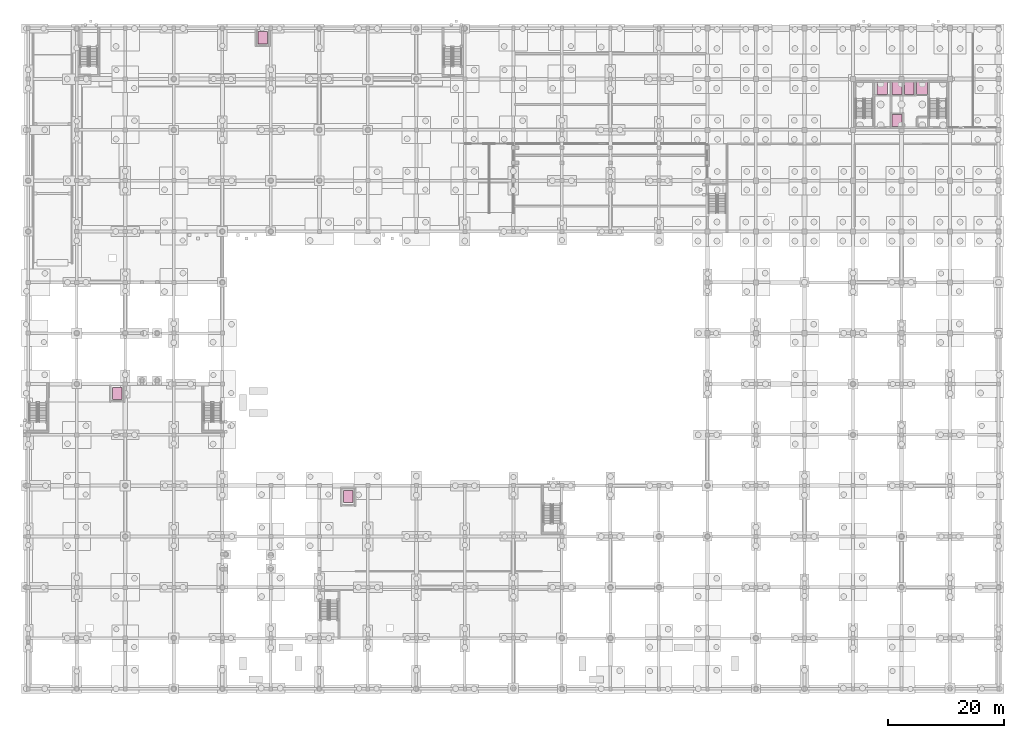
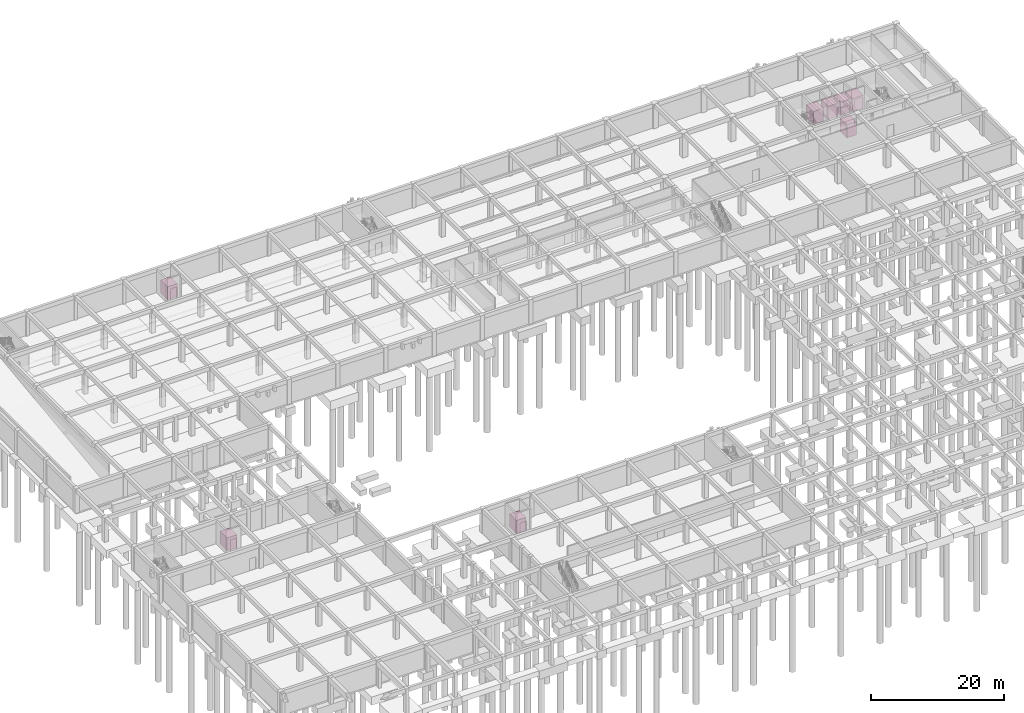
# One storey, part 41 of 41: 8 transport elements.
"""IFC4 building model written with IfcOpenShell, lengths in metres."""

import ifcopenshell
import ifcopenshell.guid

model = None  # the IFC model being written
_history = None  # IfcOwnerHistory: only IFC2X3 demands one
_inside = {}  # id of a spatial element -> (the spatial element, [elements in it])
_under = {}  # id of a project, library or spatial element -> (it, [spatial elements below it])
_declared = {}  # id of a project -> (the project, [libraries it declares])
_typed = {}  # id of a type object -> (the type object, [elements of that type])
_made_of = {}  # id of a material, layer set ... -> (it, [elements and type objects made of it])


def new_model(schema):
    """Start an empty IFC model of exactly this schema.

    Asked for "IFC4X3", IfcOpenShell would pick the latest addendum, in which some entities
    have other attributes; the version numbers below select the first issue.
    IFC2X3 requires an IfcOwnerHistory on every rooted entity: one is made here for all.
    """
    global model, _history
    if schema == "IFC4X3":
        model = ifcopenshell.file(schema_version=(4, 3, 0, 0))
    else:
        model = ifcopenshell.file(schema=schema)
    _inside.clear()
    _under.clear()
    _declared.clear()
    _typed.clear()
    _made_of.clear()
    _history = None
    if model.schema == "IFC2X3":
        org = make("IfcOrganization", Name="unknown")
        user = make(
            "IfcPersonAndOrganization",
            ThePerson=make("IfcPerson", FamilyName="unknown"),
            TheOrganization=org,
        )
        app = make(
            "IfcApplication",
            ApplicationDeveloper=org,
            Version="unknown",
            ApplicationFullName="unknown",
            ApplicationIdentifier="unknown",
        )
        _history = make(
            "IfcOwnerHistory",
            OwningUser=user,
            OwningApplication=app,
            ChangeAction="ADDED",
            CreationDate=0,
        )
    return model


def make(cls, **values):
    """One entity of the class cls with the attributes given. An attribute that is None is left unset."""
    return model.create_entity(
        cls, **{name: value for name, value in values.items() if value is not None}
    )


def rooted(cls, **values):
    """An entity with a GlobalId (a new one), such as an element, a storey or a relation."""
    return make(cls, GlobalId=ifcopenshell.guid.new(), OwnerHistory=_history, **values)


def si_unit(unit_type, name, prefix=None):
    """IfcSIUnit, for example si_unit("LENGTHUNIT", "METRE", prefix="MILLI")."""
    return make("IfcSIUnit", UnitType=unit_type, Prefix=prefix, Name=name)


def assignment(units):
    """IfcUnitAssignment: the units of a project."""
    return None if units is None else make("IfcUnitAssignment", Units=units)


def point(xyz):
    """IfcCartesianPoint."""
    return None if xyz is None else make("IfcCartesianPoint", Coordinates=xyz)


def direction(xyz):
    """IfcDirection."""
    return None if xyz is None else make("IfcDirection", DirectionRatios=xyz)


def frame(location, z_axis=None, x_axis=None):
    """IfcAxis2Placement3D, a coordinate frame: its origin and axes. An axis left out is left unset."""
    return make(
        "IfcAxis2Placement3D",
        Location=point(location),
        Axis=direction(z_axis),
        RefDirection=direction(x_axis),
    )


def frame_2d(location, x_axis=None):
    """IfcAxis2Placement2D, a coordinate frame in the plane: its origin and x axis."""
    return make(
        "IfcAxis2Placement2D", Location=point(location), RefDirection=direction(x_axis)
    )


def origin():
    """The frame at (0, 0, 0) with its axes left unset."""
    return frame((0.0, 0.0, 0.0))


def origin_2d():
    """The frame at (0, 0) in the plane with its x axis left unset."""
    return frame_2d((0.0, 0.0))


def place(relative_to, where):
    """IfcLocalPlacement: puts the frame where relative to a parent placement (None: the world)."""
    return make(
        "IfcLocalPlacement", PlacementRelTo=relative_to, RelativePlacement=where
    )


def context(
    kind, dimensions, precision=None, world=None, true_north=None, identifier=None
):
    """IfcGeometricRepresentationContext, for example the 3D "Model" context."""
    return make(
        "IfcGeometricRepresentationContext",
        ContextIdentifier=identifier,
        ContextType=kind,
        CoordinateSpaceDimension=dimensions,
        Precision=precision,
        WorldCoordinateSystem=world,
        TrueNorth=true_north,
    )


def subcontext(parent, identifier, kind, view, scale=None):
    """IfcGeometricRepresentationSubContext, for example "Body" below "Model"."""
    return make(
        "IfcGeometricRepresentationSubContext",
        ContextIdentifier=identifier,
        ContextType=kind,
        ParentContext=parent,
        TargetScale=scale,
        TargetView=view,
    )


def project(units=None, contexts=None):
    """IfcProject with its units and contexts."""
    return rooted(
        "IfcProject",
        Name="project",
        RepresentationContexts=contexts,
        UnitsInContext=assignment(units),
    )


def spatial(cls, under=None, at=None, **own):
    """A site, building, storey or space (cls), placed at a placement, below another one or the project."""
    s = rooted(cls, ObjectPlacement=at, **own)
    if under is not None:
        _under.setdefault(under.id(), (under, []))[1].append(s)
    return s


def profile(cls, at=None, kind="AREA", **sizes):
    """A parametric profile (cls). Its sizes go by their IFC names, for example OverallWidth=200.0."""
    return make(cls, ProfileType=kind, Position=at, **sizes)


def rectangle(**sizes):
    """IfcRectangleProfileDef."""
    return profile("IfcRectangleProfileDef", **sizes)


def extrude(swept, where, along, depth):
    """IfcExtrudedAreaSolid: the profile swept, set in the frame where, extruded along a direction by depth."""
    return make(
        "IfcExtrudedAreaSolid",
        SweptArea=swept,
        Position=where,
        ExtrudedDirection=direction(along),
        Depth=depth,
    )


def shape(context_of_items, identifier, shape_type, items):
    """IfcShapeRepresentation: the items that make up one representation, for example the "Body"."""
    return make(
        "IfcShapeRepresentation",
        ContextOfItems=context_of_items,
        RepresentationIdentifier=identifier,
        RepresentationType=shape_type,
        Items=items,
    )


def material(Name=None, Category=None):
    """IfcMaterial."""
    return make("IfcMaterial", Name=Name, Category=Category)


def made_of(thing, what):
    """Note that an element or type object is made of a material, layer set ...; save() writes the relation."""
    if what is not None:
        _made_of.setdefault(what.id(), (what, []))[1].append(thing)
    return thing


def type_object(cls, material=None, **own):
    """A type object (cls), such as IfcWallType, which elements share."""
    return made_of(rooted(cls, **own), material)


def element(
    cls,
    number,
    at=None,
    inside=None,
    cuts=None,
    type_object=None,
    material=None,
    context=None,
    identifier="Body",
    shape_type=None,
    held_by="IfcProductDefinitionShape",
    body=None,
    shapes=None,
    **own,
):
    """One element of the class cls, such as IfcWall. Its Tag is "e" and its number.

    at: its placement. inside: the storey or other place that contains it. cuts: it is an
    opening in that element (IfcRelVoidsElement). A single representation is given by context,
    identifier, shape_type and body (its items); several are given by shapes. held_by: the class
    of the entity that holds the representations. save() writes the other relations.
    """
    e = rooted(cls, Tag="e%d" % number, ObjectPlacement=at, **own)
    if body is not None:
        shapes = [shape(context, identifier, shape_type, body)]
    if shapes is not None:
        e.Representation = make(held_by, Representations=shapes)
    if inside is not None:
        _inside.setdefault(inside.id(), (inside, []))[1].append(e)
    if cuts is not None:
        rooted(
            "IfcRelVoidsElement", RelatingBuildingElement=cuts, RelatedOpeningElement=e
        )
    if type_object is not None:
        _typed.setdefault(type_object.id(), (type_object, []))[1].append(e)
    return made_of(e, material)


def aggregate(whole, parts):
    """IfcRelAggregates: a whole, such as a stair, and the parts it consists of."""
    return rooted("IfcRelAggregates", RelatingObject=whole, RelatedObjects=parts)


def save(model, path):
    """Write the relations noted so far, then the file.

    IfcRelAggregates (storeys below a building ...), IfcRelContainedInSpatialStructure (elements
    in a storey), IfcRelDefinesByType, IfcRelAssociatesMaterial and IfcRelDeclares: one each for
    every whole, place, type object, material and project.
    """
    for whole, parts in _under.values():
        aggregate(whole, parts)
    for where, things in _inside.values():
        rooted(
            "IfcRelContainedInSpatialStructure",
            RelatedElements=things,
            RelatingStructure=where,
        )
    for kind, things in _typed.values():
        rooted("IfcRelDefinesByType", RelatedObjects=things, RelatingType=kind)
    for what, things in _made_of.values():
        rooted("IfcRelAssociatesMaterial", RelatedObjects=things, RelatingMaterial=what)
    for by, libraries in _declared.values():
        rooted("IfcRelDeclares", RelatingContext=by, RelatedDefinitions=libraries)
    model.write(path)


model = new_model("IFC4")

# Units and contexts
model_context = context("Model", 3, precision=1e-05, world=origin(), true_north=direction((0.0, 1.0)))
body_context = subcontext(model_context, "Body", "Model", "MODEL_VIEW")
ifc_project = project(units=[si_unit("LENGTHUNIT", "METRE"), si_unit("AREAUNIT", "SQUARE_METRE"), si_unit("VOLUMEUNIT", "CUBIC_METRE"), si_unit("PLANEANGLEUNIT", "RADIAN"), si_unit("MASSUNIT", "GRAM", prefix="KILO")], contexts=[model_context])

# Site, building, storey
site_placement = place(None, origin())
site = spatial("IfcSite", under=ifc_project, at=site_placement, CompositionType="ELEMENT")
building_placement = place(site_placement, origin())
building = spatial("IfcBuilding", under=site, at=building_placement, Name="Kemercrest Conservatory and Botanical Centre", CompositionType="ELEMENT")
storey_placement = place(building_placement, frame((0.0, 0.0, -4.5)))
storey = spatial("IfcBuildingStorey", under=building, at=storey_placement, Name="B1", CompositionType="ELEMENT", Elevation=-4.5)

# Transport elements
ifc_material = material(Name="Brushed stainless steel elevator cab", Category="steel")
transport_element_type_1 = type_object("IfcTransportElementType", Name="EL-FF1800", PredefinedType="ELEVATOR", material=ifc_material)
transport_element_1_placement = place(storey_placement, frame((155.89990234375, 112.0, 0.0), z_axis=(0.0, 0.0, 1.0), x_axis=(1.0, 0.0, 0.0)))
element("IfcTransportElement", 1, at=transport_element_1_placement, inside=storey, type_object=transport_element_type_1, Name="Elevator LF-FF1 (firefighting)", PredefinedType="ELEVATOR", context=body_context, shape_type="SweptSolid", body=[
    extrude(rectangle(XDim=1.800048828125, YDim=2.14990234375, at=origin_2d()), origin(), (0.0, 0.0, 1.0), 2.39990234375),
])
transport_element_type_2 = type_object("IfcTransportElementType", Name="EL-GD2500", PredefinedType="ELEVATOR", material=ifc_material)
transport_element_2_placement = place(storey_placement, frame((162.75, 112.0, 0.0), z_axis=(0.0, 0.0, 1.0), x_axis=(1.0, 0.0, 0.0)))
element("IfcTransportElement", 2, at=transport_element_2_placement, inside=storey, type_object=transport_element_type_2, Name="Elevator LF-G1 (goods)", PredefinedType="ELEVATOR", context=body_context, shape_type="SweptSolid", body=[
    extrude(rectangle(XDim=1.89990234375, YDim=2.199951171875, at=origin_2d()), origin(), (0.0, 0.0, 1.0), 2.39990234375),
])
transport_element_type_3 = type_object("IfcTransportElementType", Name="EL-PA1600", PredefinedType="ELEVATOR", material=ifc_material)
for number, where, z_axis, x_axis, name in (
    (3, (158.449951171875, 112.0, 0.0), (0.0, 0.0, 1.0), (1.0, 0.0, 0.0), "Elevator LF-P1 (passenger)"),
    (4, (160.550048828125, 112.0, 0.0), (0.0, 0.0, 1.0), (1.0, 0.0, 0.0), "Elevator LF-P2 (passenger)"),
    (5, (158.449951171875, 106.39990234375, 0.0), (0.0, 0.0, 1.0), (1.0, 0.0, 0.0), "Elevator LF-P3 (passenger)"),
    (6, (23.39990234375, 59.14990234375, 0.0), (0.0, 0.0, 1.0), (1.0, 0.0, 0.0), "Elevator LF-V1 (passenger)"),
    (7, (63.39990234375, 41.300048828125, 0.0), (0.0, 0.0, 1.0), (1.0, 0.0, 0.0), "Elevator LF-V2 (passenger)"),
    (8, (48.60009765625, 120.75, 0.0), (0.0, 0.0, 1.0), (1.0, 0.0, 0.0), "Elevator LF-V3 (passenger)"),
):
    element("IfcTransportElement", number, at=place(storey_placement, frame(where, z_axis=z_axis, x_axis=x_axis)), inside=storey, type_object=transport_element_type_3, Name=name, PredefinedType="ELEVATOR", context=body_context, shape_type="SweptSolid", body=[
        extrude(rectangle(XDim=1.699951171875, YDim=2.10009765625, at=origin_2d()), origin(), (0.0, 0.0, 1.0), 2.39990234375),
    ])

save(model, "model.ifc")
